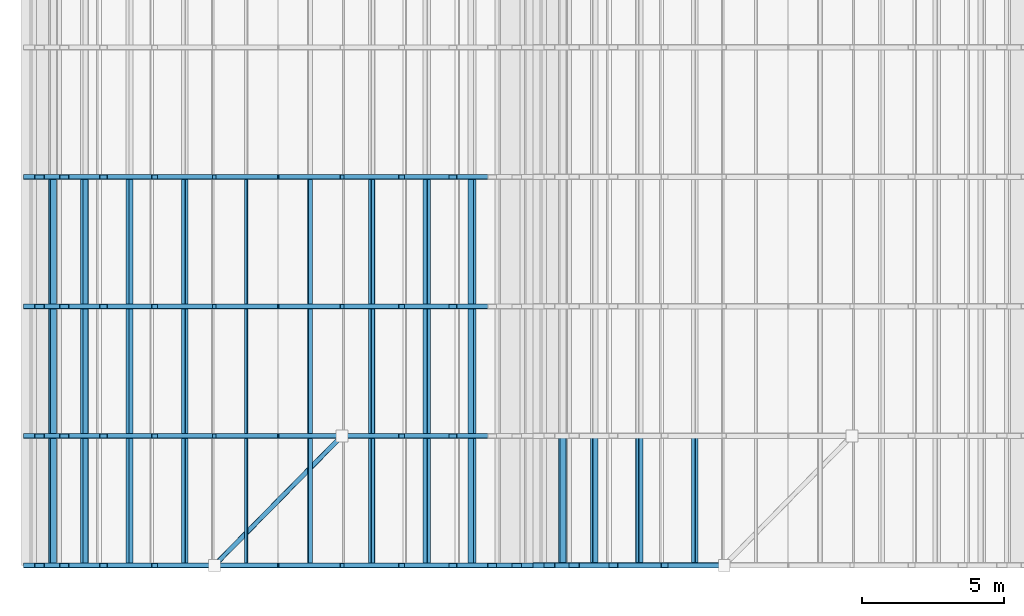
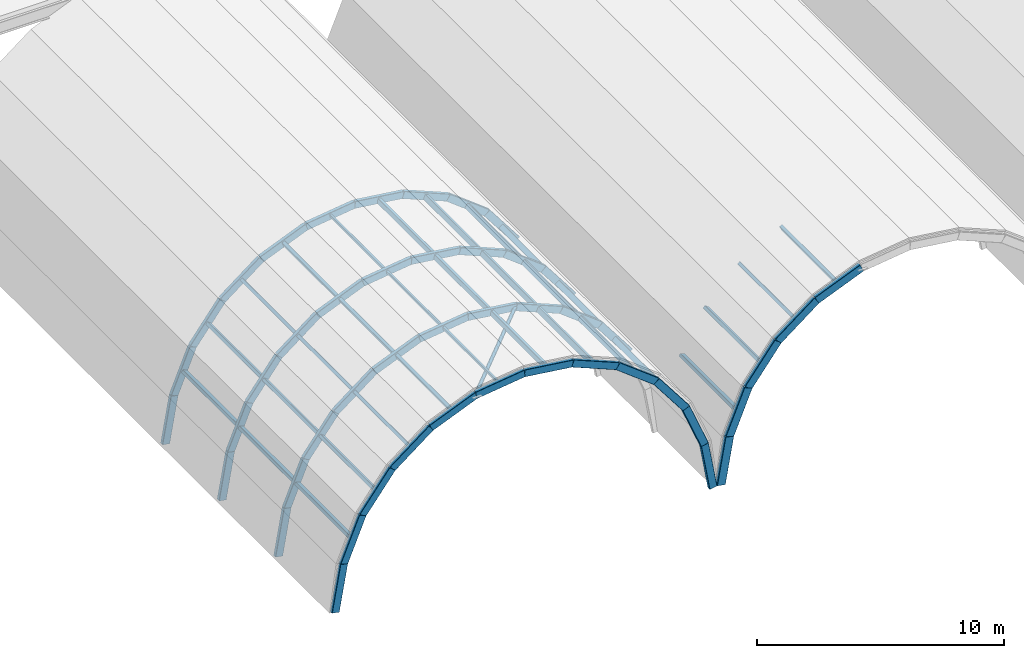
# One storey, part 1 of 25: 79 members.
"""IFC4 building model written with IfcOpenShell, lengths in metres."""

from ifc_helpers import new_model, si_unit, direction, frame, origin, origin_2d, place, context, subcontext, project, spatial, hollow_rectangle, hollow_circle, extrude, material, material_profile, profile_set, type_object, element, save


model = new_model("IFC4")

# Units and contexts
model_context = context("Model", 3, precision=1e-05, world=origin(), true_north=direction((0.0, 1.0)))
body_context = subcontext(model_context, "Body", "Model", "MODEL_VIEW")
ifc_project = project(units=[si_unit("LENGTHUNIT", "METRE"), si_unit("AREAUNIT", "SQUARE_METRE"), si_unit("VOLUMEUNIT", "CUBIC_METRE"), si_unit("PLANEANGLEUNIT", "RADIAN"), si_unit("MASSUNIT", "GRAM", prefix="KILO")], contexts=[model_context])

# Site, building, storey
site_placement = place(None, origin())
site = spatial("IfcSite", under=ifc_project, at=site_placement, CompositionType="ELEMENT")
building_placement = place(site_placement, origin())
building = spatial("IfcBuilding", under=site, at=building_placement, Name="Marnock Terrace Opera House", CompositionType="ELEMENT")
storey_placement = place(building_placement, frame((0.0, 0.0, 28.199951171875)))
storey = spatial("IfcBuildingStorey", under=building, at=storey_placement, Name="RF", CompositionType="ELEMENT", Elevation=28.199951171875)

# Members
ifc_material = material(Name="Cold-formed Steel Grade C350L0 (AS/NZS 1163)", Category="steel")
ifc_material_profile_1 = material_profile(ifc_material, hollow_circle(Radius=0.084228515625, WallThickness=0.007080078125, at=origin_2d()))
ifc_profile_set_1 = profile_set([ifc_material_profile_1], Name="Cold-formed Steel Grade C350L0 (AS/NZS 1163)")
member_type_1 = type_object("IfcMemberType", Name="MEM-BRACE-CHS2", PredefinedType="BRACE", material=ifc_profile_set_1)
member_1_placement = place(storey_placement, frame((61.748291015625, 8.0, -0.596435546875), z_axis=(0.701779574727, 0.712394152486, 0.0), x_axis=(-0.712394152486, 0.701779574727, 0.0)))
element("IfcMember", 1, at=member_1_placement, inside=storey, type_object=member_type_1, Name="Barrel vault 1 roof wind brace", PredefinedType="BRACE", context=body_context, shape_type="SweptSolid", body=[
    extrude(hollow_circle(Radius=0.084228515625, WallThickness=0.007080078125, at=origin_2d()), origin(), (0.0, 0.0, 1.0), 6.417236328125),
])
ifc_material_profile_2 = material_profile(ifc_material, hollow_rectangle(XDim=0.10009765625, YDim=0.14990234375, WallThickness=0.006103515625, InnerFilletRadius=0.006103515625, OuterFilletRadius=0.011962890625, at=origin_2d()))
ifc_profile_set_2 = profile_set([ifc_material_profile_2], Name="Cold-formed Steel Grade C350L0 (AS/NZS 1163)")
member_type_2 = type_object("IfcMemberType", Name="MEM-ROOF-GIRT", PredefinedType="PURLIN", material=ifc_profile_set_2)
member_2_placement = place(storey_placement, frame((62.8681640625, 8.0, -0.402099609375), z_axis=(0.0, 1.0, 0.0), x_axis=(-0.991444861374, 0.0, -0.13052619222)))
element("IfcMember", 2, at=member_2_placement, inside=storey, type_object=member_type_2, Name="Barrel vault 1 bay 1 longitudinal purlin", PredefinedType="PURLIN", context=body_context, shape_type="SweptSolid", body=[
    extrude(hollow_rectangle(XDim=0.10009765625, YDim=0.14990234375, WallThickness=0.006103515625, InnerFilletRadius=0.006103515625, OuterFilletRadius=0.011962890625, at=origin_2d()), origin(), (0.0, 0.0, 1.0), 4.571533203125),
])
member_3_placement = place(storey_placement, frame((62.8681640625, 12.571533203125, -0.402099609375), z_axis=(0.0, 1.0, 0.0), x_axis=(-0.991444861374, 0.0, -0.13052619222)))
element("IfcMember", 3, at=member_3_placement, inside=storey, type_object=member_type_2, Name="Barrel vault 1 bay 2 longitudinal purlin", PredefinedType="PURLIN", context=body_context, shape_type="SweptSolid", body=[
    extrude(hollow_rectangle(XDim=0.10009765625, YDim=0.14990234375, WallThickness=0.006103515625, InnerFilletRadius=0.006103515625, OuterFilletRadius=0.011962890625, at=origin_2d()), origin(), (0.0, 0.0, 1.0), 4.5712890625),
])
member_4_placement = place(storey_placement, frame((62.8681640625, 17.142822265625, -0.402099609375), z_axis=(0.0, 1.0, 0.0), x_axis=(-0.991444861374, 0.0, -0.13052619222)))
element("IfcMember", 4, at=member_4_placement, inside=storey, type_object=member_type_2, Name="Barrel vault 1 bay 3 longitudinal purlin", PredefinedType="PURLIN", context=body_context, shape_type="SweptSolid", body=[
    extrude(hollow_rectangle(XDim=0.10009765625, YDim=0.14990234375, WallThickness=0.006103515625, InnerFilletRadius=0.006103515625, OuterFilletRadius=0.011962890625, at=origin_2d()), origin(), (0.0, 0.0, 1.0), 4.571533203125),
])
ifc_material_profile_3 = material_profile(ifc_material, hollow_rectangle(XDim=0.199951171875, YDim=0.39990234375, WallThickness=0.012451171875, InnerFilletRadius=0.012451171875, OuterFilletRadius=0.02490234375, at=origin_2d()))
ifc_profile_set_3 = profile_set([ifc_material_profile_3], Name="Cold-formed Steel Grade C350L0 (AS/NZS 1163)")
member_type_3 = type_object("IfcMemberType", Name="MEM-VAULT-ARCH1", PredefinedType="CHORD", material=ifc_profile_set_3)
member_5_placement = place(storey_placement, frame((73.179931640625, 8.0, -9.0), z_axis=(0.173341635248, 0.0, 0.984861755522), x_axis=(0.0, 1.0, 0.0)))
element("IfcMember", 5, at=member_5_placement, inside=storey, type_object=member_type_3, Name="Barrel vault 2 station 1 arch chord 1", PredefinedType="CHORD", context=body_context, shape_type="SweptSolid", body=[
    extrude(hollow_rectangle(XDim=0.199951171875, YDim=0.39990234375, WallThickness=0.012451171875, InnerFilletRadius=0.012451171875, OuterFilletRadius=0.02490234375, at=origin_2d()), origin(), (0.0, 0.0, 1.0), 2.29150390625),
])
member_6_placement = place(storey_placement, frame((73.5771484375, 8.0, -6.7431640625), z_axis=(0.382642254796, 0.0, 0.923896587744), x_axis=(0.0, 1.0, 0.0)))
element("IfcMember", 6, at=member_6_placement, inside=storey, type_object=member_type_3, Name="Barrel vault 2 station 1 arch chord 2", PredefinedType="CHORD", context=body_context, shape_type="SweptSolid", body=[
    extrude(hollow_rectangle(XDim=0.199951171875, YDim=0.39990234375, WallThickness=0.012451171875, InnerFilletRadius=0.012451171875, OuterFilletRadius=0.02490234375, at=origin_2d()), origin(), (0.0, 0.0, 1.0), 2.276611328125),
])
for number, where, z_axis, x_axis, name in (
    (7, (74.4482421875, 8.0, -4.639892578125), (0.608766982702, 0.0, 0.793349078761), (0.0, 1.0, 0.0), "Barrel vault 2 station 1 arch chord 3"),
    (8, (75.833984375, 8.0, -2.833984375), (0.793349078761, 0.0, 0.608766982702), (0.0, 1.0, 0.0), "Barrel vault 2 station 1 arch chord 4"),
):
    element("IfcMember", number, at=place(storey_placement, frame(where, z_axis=z_axis, x_axis=x_axis)), inside=storey, type_object=member_type_3, Name=name, PredefinedType="CHORD", context=body_context, shape_type="SweptSolid", body=[
        extrude(hollow_rectangle(XDim=0.199951171875, YDim=0.39990234375, WallThickness=0.012451171875, InnerFilletRadius=0.012451171875, OuterFilletRadius=0.02490234375, at=origin_2d()), origin(), (0.0, 0.0, 1.0), 2.2763671875),
    ])
member_7_placement = place(storey_placement, frame((77.639892578125, 8.0, -1.4482421875), z_axis=(0.923896587744, 0.0, 0.382642254796), x_axis=(0.0, 1.0, 0.0)))
element("IfcMember", 9, at=member_7_placement, inside=storey, type_object=member_type_3, Name="Barrel vault 2 station 1 arch chord 5", PredefinedType="CHORD", context=body_context, shape_type="SweptSolid", body=[
    extrude(hollow_rectangle(XDim=0.199951171875, YDim=0.39990234375, WallThickness=0.012451171875, InnerFilletRadius=0.012451171875, OuterFilletRadius=0.02490234375, at=origin_2d()), origin(), (0.0, 0.0, 1.0), 2.276611328125),
])
ifc_material_profile_4 = material_profile(ifc_material, hollow_rectangle(XDim=0.175048828125, YDim=0.35009765625, WallThickness=0.010009765625, InnerFilletRadius=0.010009765625, OuterFilletRadius=0.02001953125, at=origin_2d()))
ifc_profile_set_4 = profile_set([ifc_material_profile_4], Name="Cold-formed Steel Grade C350L0 (AS/NZS 1163)")
member_type_4 = type_object("IfcMemberType", Name="MEM-VAULT-ARCH2", PredefinedType="CHORD", material=ifc_profile_set_4)
member_8_placement = place(storey_placement, frame((55.179931640625, 8.0, -9.0), z_axis=(0.173341635248, 0.0, 0.984861755522), x_axis=(0.0, 1.0, 0.0)))
element("IfcMember", 10, at=member_8_placement, inside=storey, type_object=member_type_4, Name="Barrel vault 1 station 1 arch chord 1", PredefinedType="CHORD", context=body_context, shape_type="SweptSolid", body=[
    extrude(hollow_rectangle(XDim=0.175048828125, YDim=0.35009765625, WallThickness=0.010009765625, InnerFilletRadius=0.010009765625, OuterFilletRadius=0.02001953125, at=origin_2d()), origin(), (0.0, 0.0, 1.0), 2.29150390625),
])
member_9_placement = place(storey_placement, frame((55.5771484375, 8.0, -6.7431640625), z_axis=(0.382642254796, 0.0, 0.923896587744), x_axis=(0.0, 1.0, 0.0)))
element("IfcMember", 11, at=member_9_placement, inside=storey, type_object=member_type_4, Name="Barrel vault 1 station 1 arch chord 2", PredefinedType="CHORD", context=body_context, shape_type="SweptSolid", body=[
    extrude(hollow_rectangle(XDim=0.175048828125, YDim=0.35009765625, WallThickness=0.010009765625, InnerFilletRadius=0.010009765625, OuterFilletRadius=0.02001953125, at=origin_2d()), origin(), (0.0, 0.0, 1.0), 2.276611328125),
])
for number, where, z_axis, x_axis, name in (
    (12, (56.4482421875, 8.0, -4.639892578125), (0.608766982702, 0.0, 0.793349078761), (0.0, 1.0, 0.0), "Barrel vault 1 station 1 arch chord 3"),
    (13, (57.833984375, 8.0, -2.833984375), (0.793349078761, 0.0, 0.608766982702), (0.0, 1.0, 0.0), "Barrel vault 1 station 1 arch chord 4"),
):
    element("IfcMember", number, at=place(storey_placement, frame(where, z_axis=z_axis, x_axis=x_axis)), inside=storey, type_object=member_type_4, Name=name, PredefinedType="CHORD", context=body_context, shape_type="SweptSolid", body=[
        extrude(hollow_rectangle(XDim=0.175048828125, YDim=0.35009765625, WallThickness=0.010009765625, InnerFilletRadius=0.010009765625, OuterFilletRadius=0.02001953125, at=origin_2d()), origin(), (0.0, 0.0, 1.0), 2.2763671875),
    ])
member_10_placement = place(storey_placement, frame((59.639892578125, 8.0, -1.4482421875), z_axis=(0.923896587744, 0.0, 0.382642254796), x_axis=(0.0, 1.0, 0.0)))
element("IfcMember", 14, at=member_10_placement, inside=storey, type_object=member_type_4, Name="Barrel vault 1 station 1 arch chord 5", PredefinedType="CHORD", context=body_context, shape_type="SweptSolid", body=[
    extrude(hollow_rectangle(XDim=0.175048828125, YDim=0.35009765625, WallThickness=0.010009765625, InnerFilletRadius=0.010009765625, OuterFilletRadius=0.02001953125, at=origin_2d()), origin(), (0.0, 0.0, 1.0), 2.276611328125),
])
for number, where, z_axis, x_axis, name in (
    (15, (61.7431640625, 8.0, -0.5771484375), (0.991444801521, 0.0, 0.130526646847), (0.0, 1.0, 0.0), "Barrel vault 1 station 1 arch chord 6"),
    (16, (64.0, 8.0, -0.280029296875), (0.991444801521, 0.0, -0.130526646847), (0.0, 1.0, 0.0), "Barrel vault 1 station 1 arch chord 7"),
):
    element("IfcMember", number, at=place(storey_placement, frame(where, z_axis=z_axis, x_axis=x_axis)), inside=storey, type_object=member_type_4, Name=name, PredefinedType="CHORD", context=body_context, shape_type="SweptSolid", body=[
        extrude(hollow_rectangle(XDim=0.175048828125, YDim=0.35009765625, WallThickness=0.010009765625, InnerFilletRadius=0.010009765625, OuterFilletRadius=0.02001953125, at=origin_2d()), origin(), (0.0, 0.0, 1.0), 2.2763671875),
    ])
member_11_placement = place(storey_placement, frame((66.2568359375, 8.0, -0.5771484375), z_axis=(0.923896587744, 0.0, -0.382642254796), x_axis=(0.0, 1.0, 0.0)))
element("IfcMember", 17, at=member_11_placement, inside=storey, type_object=member_type_4, Name="Barrel vault 1 station 1 arch chord 8", PredefinedType="CHORD", context=body_context, shape_type="SweptSolid", body=[
    extrude(hollow_rectangle(XDim=0.175048828125, YDim=0.35009765625, WallThickness=0.010009765625, InnerFilletRadius=0.010009765625, OuterFilletRadius=0.02001953125, at=origin_2d()), origin(), (0.0, 0.0, 1.0), 2.276611328125),
])
for number, where, z_axis, x_axis, name in (
    (18, (68.360107421875, 8.0, -1.4482421875), (0.793349078761, 0.0, -0.608766982702), (0.0, 1.0, 0.0), "Barrel vault 1 station 1 arch chord 9"),
    (19, (70.166015625, 8.0, -2.833984375), (0.608766982702, 0.0, -0.793349078761), (0.0, 1.0, 0.0), "Barrel vault 1 station 1 arch chord 10"),
):
    element("IfcMember", number, at=place(storey_placement, frame(where, z_axis=z_axis, x_axis=x_axis)), inside=storey, type_object=member_type_4, Name=name, PredefinedType="CHORD", context=body_context, shape_type="SweptSolid", body=[
        extrude(hollow_rectangle(XDim=0.175048828125, YDim=0.35009765625, WallThickness=0.010009765625, InnerFilletRadius=0.010009765625, OuterFilletRadius=0.02001953125, at=origin_2d()), origin(), (0.0, 0.0, 1.0), 2.2763671875),
    ])
member_12_placement = place(storey_placement, frame((71.5517578125, 8.0, -4.639892578125), z_axis=(0.382642254796, 0.0, -0.923896587744), x_axis=(0.0, 1.0, 0.0)))
element("IfcMember", 20, at=member_12_placement, inside=storey, type_object=member_type_4, Name="Barrel vault 1 station 1 arch chord 11", PredefinedType="CHORD", context=body_context, shape_type="SweptSolid", body=[
    extrude(hollow_rectangle(XDim=0.175048828125, YDim=0.35009765625, WallThickness=0.010009765625, InnerFilletRadius=0.010009765625, OuterFilletRadius=0.02001953125, at=origin_2d()), origin(), (0.0, 0.0, 1.0), 2.276611328125),
])
for number, where, z_axis, x_axis, name in (
    (21, (72.4228515625, 8.0, -6.7431640625), (0.173341635248, 0.0, -0.984861755522), (0.0, 1.0, 0.0), "Barrel vault 1 station 1 arch chord 12"),
    (22, (55.179931640625, 12.571533203125, -9.0), (0.173341635248, 0.0, 0.984861755522), (0.0, 1.0, 0.0), "Barrel vault 1 station 2 arch chord 1"),
):
    element("IfcMember", number, at=place(storey_placement, frame(where, z_axis=z_axis, x_axis=x_axis)), inside=storey, type_object=member_type_4, Name=name, PredefinedType="CHORD", context=body_context, shape_type="SweptSolid", body=[
        extrude(hollow_rectangle(XDim=0.175048828125, YDim=0.35009765625, WallThickness=0.010009765625, InnerFilletRadius=0.010009765625, OuterFilletRadius=0.02001953125, at=origin_2d()), origin(), (0.0, 0.0, 1.0), 2.29150390625),
    ])
member_13_placement = place(storey_placement, frame((55.5771484375, 12.571533203125, -6.7431640625), z_axis=(0.382642254796, 0.0, 0.923896587744), x_axis=(0.0, 1.0, 0.0)))
element("IfcMember", 23, at=member_13_placement, inside=storey, type_object=member_type_4, Name="Barrel vault 1 station 2 arch chord 2", PredefinedType="CHORD", context=body_context, shape_type="SweptSolid", body=[
    extrude(hollow_rectangle(XDim=0.175048828125, YDim=0.35009765625, WallThickness=0.010009765625, InnerFilletRadius=0.010009765625, OuterFilletRadius=0.02001953125, at=origin_2d()), origin(), (0.0, 0.0, 1.0), 2.276611328125),
])
for number, where, z_axis, x_axis, name in (
    (24, (56.4482421875, 12.571533203125, -4.639892578125), (0.608766982702, 0.0, 0.793349078761), (0.0, 1.0, 0.0), "Barrel vault 1 station 2 arch chord 3"),
    (25, (57.833984375, 12.571533203125, -2.833984375), (0.793349078761, 0.0, 0.608766982702), (0.0, 1.0, 0.0), "Barrel vault 1 station 2 arch chord 4"),
):
    element("IfcMember", number, at=place(storey_placement, frame(where, z_axis=z_axis, x_axis=x_axis)), inside=storey, type_object=member_type_4, Name=name, PredefinedType="CHORD", context=body_context, shape_type="SweptSolid", body=[
        extrude(hollow_rectangle(XDim=0.175048828125, YDim=0.35009765625, WallThickness=0.010009765625, InnerFilletRadius=0.010009765625, OuterFilletRadius=0.02001953125, at=origin_2d()), origin(), (0.0, 0.0, 1.0), 2.2763671875),
    ])
member_14_placement = place(storey_placement, frame((59.639892578125, 12.571533203125, -1.4482421875), z_axis=(0.923896587744, 0.0, 0.382642254796), x_axis=(0.0, 1.0, 0.0)))
element("IfcMember", 26, at=member_14_placement, inside=storey, type_object=member_type_4, Name="Barrel vault 1 station 2 arch chord 5", PredefinedType="CHORD", context=body_context, shape_type="SweptSolid", body=[
    extrude(hollow_rectangle(XDim=0.175048828125, YDim=0.35009765625, WallThickness=0.010009765625, InnerFilletRadius=0.010009765625, OuterFilletRadius=0.02001953125, at=origin_2d()), origin(), (0.0, 0.0, 1.0), 2.276611328125),
])
for number, where, z_axis, x_axis, name in (
    (27, (61.7431640625, 12.571533203125, -0.5771484375), (0.991444801521, 0.0, 0.130526646847), (0.0, 1.0, 0.0), "Barrel vault 1 station 2 arch chord 6"),
    (28, (64.0, 12.571533203125, -0.280029296875), (0.991444801521, 0.0, -0.130526646847), (0.0, 1.0, 0.0), "Barrel vault 1 station 2 arch chord 7"),
):
    element("IfcMember", number, at=place(storey_placement, frame(where, z_axis=z_axis, x_axis=x_axis)), inside=storey, type_object=member_type_4, Name=name, PredefinedType="CHORD", context=body_context, shape_type="SweptSolid", body=[
        extrude(hollow_rectangle(XDim=0.175048828125, YDim=0.35009765625, WallThickness=0.010009765625, InnerFilletRadius=0.010009765625, OuterFilletRadius=0.02001953125, at=origin_2d()), origin(), (0.0, 0.0, 1.0), 2.2763671875),
    ])
member_15_placement = place(storey_placement, frame((66.2568359375, 12.571533203125, -0.5771484375), z_axis=(0.923896587744, 0.0, -0.382642254796), x_axis=(0.0, 1.0, 0.0)))
element("IfcMember", 29, at=member_15_placement, inside=storey, type_object=member_type_4, Name="Barrel vault 1 station 2 arch chord 8", PredefinedType="CHORD", context=body_context, shape_type="SweptSolid", body=[
    extrude(hollow_rectangle(XDim=0.175048828125, YDim=0.35009765625, WallThickness=0.010009765625, InnerFilletRadius=0.010009765625, OuterFilletRadius=0.02001953125, at=origin_2d()), origin(), (0.0, 0.0, 1.0), 2.276611328125),
])
for number, where, z_axis, x_axis, name in (
    (30, (68.360107421875, 12.571533203125, -1.4482421875), (0.793349078761, 0.0, -0.608766982702), (0.0, 1.0, 0.0), "Barrel vault 1 station 2 arch chord 9"),
    (31, (70.166015625, 12.571533203125, -2.833984375), (0.608766982702, 0.0, -0.793349078761), (0.0, 1.0, 0.0), "Barrel vault 1 station 2 arch chord 10"),
):
    element("IfcMember", number, at=place(storey_placement, frame(where, z_axis=z_axis, x_axis=x_axis)), inside=storey, type_object=member_type_4, Name=name, PredefinedType="CHORD", context=body_context, shape_type="SweptSolid", body=[
        extrude(hollow_rectangle(XDim=0.175048828125, YDim=0.35009765625, WallThickness=0.010009765625, InnerFilletRadius=0.010009765625, OuterFilletRadius=0.02001953125, at=origin_2d()), origin(), (0.0, 0.0, 1.0), 2.2763671875),
    ])
member_16_placement = place(storey_placement, frame((55.179931640625, 17.142822265625, -9.0), z_axis=(0.173341635248, 0.0, 0.984861755522), x_axis=(0.0, 1.0, 0.0)))
element("IfcMember", 32, at=member_16_placement, inside=storey, type_object=member_type_4, Name="Barrel vault 1 station 3 arch chord 1", PredefinedType="CHORD", context=body_context, shape_type="SweptSolid", body=[
    extrude(hollow_rectangle(XDim=0.175048828125, YDim=0.35009765625, WallThickness=0.010009765625, InnerFilletRadius=0.010009765625, OuterFilletRadius=0.02001953125, at=origin_2d()), origin(), (0.0, 0.0, 1.0), 2.29150390625),
])
member_17_placement = place(storey_placement, frame((55.5771484375, 17.142822265625, -6.7431640625), z_axis=(0.382642254796, 0.0, 0.923896587744), x_axis=(0.0, 1.0, 0.0)))
element("IfcMember", 33, at=member_17_placement, inside=storey, type_object=member_type_4, Name="Barrel vault 1 station 3 arch chord 2", PredefinedType="CHORD", context=body_context, shape_type="SweptSolid", body=[
    extrude(hollow_rectangle(XDim=0.175048828125, YDim=0.35009765625, WallThickness=0.010009765625, InnerFilletRadius=0.010009765625, OuterFilletRadius=0.02001953125, at=origin_2d()), origin(), (0.0, 0.0, 1.0), 2.276611328125),
])
for number, where, z_axis, x_axis, name in (
    (34, (56.4482421875, 17.142822265625, -4.639892578125), (0.608766982702, 0.0, 0.793349078761), (0.0, 1.0, 0.0), "Barrel vault 1 station 3 arch chord 3"),
    (35, (57.833984375, 17.142822265625, -2.833984375), (0.793349078761, 0.0, 0.608766982702), (0.0, 1.0, 0.0), "Barrel vault 1 station 3 arch chord 4"),
):
    element("IfcMember", number, at=place(storey_placement, frame(where, z_axis=z_axis, x_axis=x_axis)), inside=storey, type_object=member_type_4, Name=name, PredefinedType="CHORD", context=body_context, shape_type="SweptSolid", body=[
        extrude(hollow_rectangle(XDim=0.175048828125, YDim=0.35009765625, WallThickness=0.010009765625, InnerFilletRadius=0.010009765625, OuterFilletRadius=0.02001953125, at=origin_2d()), origin(), (0.0, 0.0, 1.0), 2.2763671875),
    ])
member_18_placement = place(storey_placement, frame((59.639892578125, 17.142822265625, -1.4482421875), z_axis=(0.923896587744, 0.0, 0.382642254796), x_axis=(0.0, 1.0, 0.0)))
element("IfcMember", 36, at=member_18_placement, inside=storey, type_object=member_type_4, Name="Barrel vault 1 station 3 arch chord 5", PredefinedType="CHORD", context=body_context, shape_type="SweptSolid", body=[
    extrude(hollow_rectangle(XDim=0.175048828125, YDim=0.35009765625, WallThickness=0.010009765625, InnerFilletRadius=0.010009765625, OuterFilletRadius=0.02001953125, at=origin_2d()), origin(), (0.0, 0.0, 1.0), 2.276611328125),
])
for number, where, z_axis, x_axis, name in (
    (37, (61.7431640625, 17.142822265625, -0.5771484375), (0.991444801521, 0.0, 0.130526646847), (0.0, 1.0, 0.0), "Barrel vault 1 station 3 arch chord 6"),
    (38, (64.0, 17.142822265625, -0.280029296875), (0.991444801521, 0.0, -0.130526646847), (0.0, 1.0, 0.0), "Barrel vault 1 station 3 arch chord 7"),
):
    element("IfcMember", number, at=place(storey_placement, frame(where, z_axis=z_axis, x_axis=x_axis)), inside=storey, type_object=member_type_4, Name=name, PredefinedType="CHORD", context=body_context, shape_type="SweptSolid", body=[
        extrude(hollow_rectangle(XDim=0.175048828125, YDim=0.35009765625, WallThickness=0.010009765625, InnerFilletRadius=0.010009765625, OuterFilletRadius=0.02001953125, at=origin_2d()), origin(), (0.0, 0.0, 1.0), 2.2763671875),
    ])
member_19_placement = place(storey_placement, frame((66.2568359375, 17.142822265625, -0.5771484375), z_axis=(0.923896587744, 0.0, -0.382642254796), x_axis=(0.0, 1.0, 0.0)))
element("IfcMember", 39, at=member_19_placement, inside=storey, type_object=member_type_4, Name="Barrel vault 1 station 3 arch chord 8", PredefinedType="CHORD", context=body_context, shape_type="SweptSolid", body=[
    extrude(hollow_rectangle(XDim=0.175048828125, YDim=0.35009765625, WallThickness=0.010009765625, InnerFilletRadius=0.010009765625, OuterFilletRadius=0.02001953125, at=origin_2d()), origin(), (0.0, 0.0, 1.0), 2.276611328125),
])
for number, where, z_axis, x_axis, name in (
    (40, (68.360107421875, 17.142822265625, -1.4482421875), (0.793349078761, 0.0, -0.608766982702), (0.0, 1.0, 0.0), "Barrel vault 1 station 3 arch chord 9"),
    (41, (70.166015625, 17.142822265625, -2.833984375), (0.608766982702, 0.0, -0.793349078761), (0.0, 1.0, 0.0), "Barrel vault 1 station 3 arch chord 10"),
):
    element("IfcMember", number, at=place(storey_placement, frame(where, z_axis=z_axis, x_axis=x_axis)), inside=storey, type_object=member_type_4, Name=name, PredefinedType="CHORD", context=body_context, shape_type="SweptSolid", body=[
        extrude(hollow_rectangle(XDim=0.175048828125, YDim=0.35009765625, WallThickness=0.010009765625, InnerFilletRadius=0.010009765625, OuterFilletRadius=0.02001953125, at=origin_2d()), origin(), (0.0, 0.0, 1.0), 2.2763671875),
    ])
member_20_placement = place(storey_placement, frame((55.179931640625, 21.71435546875, -9.0), z_axis=(0.173341635248, 0.0, 0.984861755522), x_axis=(0.0, 1.0, 0.0)))
element("IfcMember", 42, at=member_20_placement, inside=storey, type_object=member_type_4, Name="Barrel vault 1 station 4 arch chord 1", PredefinedType="CHORD", context=body_context, shape_type="SweptSolid", body=[
    extrude(hollow_rectangle(XDim=0.175048828125, YDim=0.35009765625, WallThickness=0.010009765625, InnerFilletRadius=0.010009765625, OuterFilletRadius=0.02001953125, at=origin_2d()), origin(), (0.0, 0.0, 1.0), 2.29150390625),
])
member_21_placement = place(storey_placement, frame((55.5771484375, 21.71435546875, -6.7431640625), z_axis=(0.382642254796, 0.0, 0.923896587744), x_axis=(0.0, 1.0, 0.0)))
element("IfcMember", 43, at=member_21_placement, inside=storey, type_object=member_type_4, Name="Barrel vault 1 station 4 arch chord 2", PredefinedType="CHORD", context=body_context, shape_type="SweptSolid", body=[
    extrude(hollow_rectangle(XDim=0.175048828125, YDim=0.35009765625, WallThickness=0.010009765625, InnerFilletRadius=0.010009765625, OuterFilletRadius=0.02001953125, at=origin_2d()), origin(), (0.0, 0.0, 1.0), 2.276611328125),
])
for number, where, z_axis, x_axis, name in (
    (44, (56.4482421875, 21.71435546875, -4.639892578125), (0.608766982702, 0.0, 0.793349078761), (0.0, 1.0, 0.0), "Barrel vault 1 station 4 arch chord 3"),
    (45, (57.833984375, 21.71435546875, -2.833984375), (0.793349078761, 0.0, 0.608766982702), (0.0, 1.0, 0.0), "Barrel vault 1 station 4 arch chord 4"),
):
    element("IfcMember", number, at=place(storey_placement, frame(where, z_axis=z_axis, x_axis=x_axis)), inside=storey, type_object=member_type_4, Name=name, PredefinedType="CHORD", context=body_context, shape_type="SweptSolid", body=[
        extrude(hollow_rectangle(XDim=0.175048828125, YDim=0.35009765625, WallThickness=0.010009765625, InnerFilletRadius=0.010009765625, OuterFilletRadius=0.02001953125, at=origin_2d()), origin(), (0.0, 0.0, 1.0), 2.2763671875),
    ])
member_22_placement = place(storey_placement, frame((59.639892578125, 21.71435546875, -1.4482421875), z_axis=(0.923896587744, 0.0, 0.382642254796), x_axis=(0.0, 1.0, 0.0)))
element("IfcMember", 46, at=member_22_placement, inside=storey, type_object=member_type_4, Name="Barrel vault 1 station 4 arch chord 5", PredefinedType="CHORD", context=body_context, shape_type="SweptSolid", body=[
    extrude(hollow_rectangle(XDim=0.175048828125, YDim=0.35009765625, WallThickness=0.010009765625, InnerFilletRadius=0.010009765625, OuterFilletRadius=0.02001953125, at=origin_2d()), origin(), (0.0, 0.0, 1.0), 2.276611328125),
])
for number, where, z_axis, x_axis, name in (
    (47, (61.7431640625, 21.71435546875, -0.5771484375), (0.991444801521, 0.0, 0.130526646847), (0.0, 1.0, 0.0), "Barrel vault 1 station 4 arch chord 6"),
    (48, (64.0, 21.71435546875, -0.280029296875), (0.991444801521, 0.0, -0.130526646847), (0.0, 1.0, 0.0), "Barrel vault 1 station 4 arch chord 7"),
):
    element("IfcMember", number, at=place(storey_placement, frame(where, z_axis=z_axis, x_axis=x_axis)), inside=storey, type_object=member_type_4, Name=name, PredefinedType="CHORD", context=body_context, shape_type="SweptSolid", body=[
        extrude(hollow_rectangle(XDim=0.175048828125, YDim=0.35009765625, WallThickness=0.010009765625, InnerFilletRadius=0.010009765625, OuterFilletRadius=0.02001953125, at=origin_2d()), origin(), (0.0, 0.0, 1.0), 2.2763671875),
    ])
member_23_placement = place(storey_placement, frame((66.2568359375, 21.71435546875, -0.5771484375), z_axis=(0.923896587744, 0.0, -0.382642254796), x_axis=(0.0, 1.0, 0.0)))
element("IfcMember", 49, at=member_23_placement, inside=storey, type_object=member_type_4, Name="Barrel vault 1 station 4 arch chord 8", PredefinedType="CHORD", context=body_context, shape_type="SweptSolid", body=[
    extrude(hollow_rectangle(XDim=0.175048828125, YDim=0.35009765625, WallThickness=0.010009765625, InnerFilletRadius=0.010009765625, OuterFilletRadius=0.02001953125, at=origin_2d()), origin(), (0.0, 0.0, 1.0), 2.276611328125),
])
for number, where, z_axis, x_axis, name in (
    (50, (68.360107421875, 21.71435546875, -1.4482421875), (0.793349078761, 0.0, -0.608766982702), (0.0, 1.0, 0.0), "Barrel vault 1 station 4 arch chord 9"),
    (51, (70.166015625, 21.71435546875, -2.833984375), (0.608766982702, 0.0, -0.793349078761), (0.0, 1.0, 0.0), "Barrel vault 1 station 4 arch chord 10"),
):
    element("IfcMember", number, at=place(storey_placement, frame(where, z_axis=z_axis, x_axis=x_axis)), inside=storey, type_object=member_type_4, Name=name, PredefinedType="CHORD", context=body_context, shape_type="SweptSolid", body=[
        extrude(hollow_rectangle(XDim=0.175048828125, YDim=0.35009765625, WallThickness=0.010009765625, InnerFilletRadius=0.010009765625, OuterFilletRadius=0.02001953125, at=origin_2d()), origin(), (0.0, 0.0, 1.0), 2.2763671875),
    ])
ifc_material_profile_5 = material_profile(ifc_material, hollow_rectangle(XDim=0.14990234375, YDim=0.25, WallThickness=0.009033203125, InnerFilletRadius=0.009033203125, OuterFilletRadius=0.01806640625, at=origin_2d()))
ifc_profile_set_5 = profile_set([ifc_material_profile_5], Name="Cold-formed Steel Grade C350L0 (AS/NZS 1163)")
member_type_5 = type_object("IfcMemberType", Name="MEM-VAULT-PURL", PredefinedType="PURLIN", material=ifc_profile_set_5)
for number, where, z_axis, x_axis, name in (
    (52, (56.034423828125, 8.0, -5.700439453125), (0.0, 1.0, 0.0), (-0.382683432365, 0.0, -0.923879532511), "Barrel vault 1 bay 1 longitudinal purlin"),
    (53, (57.15966796875, 8.0, -3.751220703125), (0.0, 1.0, 0.0), (-0.608761429009, 0.0, -0.793353340291), "Barrel vault 1 bay 1 longitudinal purlin"),
    (54, (58.751220703125, 8.0, -2.15966796875), (0.0, 1.0, 0.0), (-0.793353340291, 0.0, -0.608761429009), "Barrel vault 1 bay 1 longitudinal purlin"),
    (55, (60.700439453125, 8.0, -1.0341796875), (0.0, 1.0, 0.0), (-0.923879532511, 0.0, -0.382683432365), "Barrel vault 1 bay 1 longitudinal purlin"),
    (56, (65.12548828125, 8.0, -0.45166015625), (0.0, 1.0, 0.0), (-0.991444861374, 0.0, 0.13052619222), "Barrel vault 1 bay 1 longitudinal purlin"),
    (57, (67.299560546875, 8.0, -1.0341796875), (0.0, 1.0, 0.0), (-0.923879532511, 0.0, 0.382683432365), "Barrel vault 1 bay 1 longitudinal purlin"),
    (58, (69.248779296875, 8.0, -2.15966796875), (0.0, 1.0, 0.0), (-0.793353340291, 0.0, 0.608761429009), "Barrel vault 1 bay 1 longitudinal purlin"),
    (59, (70.84033203125, 8.0, -3.751220703125), (0.0, 1.0, 0.0), (-0.608761429009, 0.0, 0.793353340291), "Barrel vault 1 bay 1 longitudinal purlin"),
):
    element("IfcMember", number, at=place(storey_placement, frame(where, z_axis=z_axis, x_axis=x_axis)), inside=storey, type_object=member_type_5, Name=name, PredefinedType="PURLIN", context=body_context, shape_type="SweptSolid", body=[
        extrude(hollow_rectangle(XDim=0.14990234375, YDim=0.25, WallThickness=0.009033203125, InnerFilletRadius=0.009033203125, OuterFilletRadius=0.01806640625, at=origin_2d()), origin(), (0.0, 0.0, 1.0), 4.571533203125),
    ])
for number, where, z_axis, x_axis, name in (
    (60, (56.034423828125, 12.571533203125, -5.700439453125), (0.0, 1.0, 0.0), (-0.382683432365, 0.0, -0.923879532511), "Barrel vault 1 bay 2 longitudinal purlin"),
    (61, (57.15966796875, 12.571533203125, -3.751220703125), (0.0, 1.0, 0.0), (-0.608761429009, 0.0, -0.793353340291), "Barrel vault 1 bay 2 longitudinal purlin"),
    (62, (58.751220703125, 12.571533203125, -2.15966796875), (0.0, 1.0, 0.0), (-0.793353340291, 0.0, -0.608761429009), "Barrel vault 1 bay 2 longitudinal purlin"),
    (63, (60.700439453125, 12.571533203125, -1.0341796875), (0.0, 1.0, 0.0), (-0.923879532511, 0.0, -0.382683432365), "Barrel vault 1 bay 2 longitudinal purlin"),
    (64, (65.12548828125, 12.571533203125, -0.45166015625), (0.0, 1.0, 0.0), (-0.991444861374, 0.0, 0.13052619222), "Barrel vault 1 bay 2 longitudinal purlin"),
    (65, (67.299560546875, 12.571533203125, -1.0341796875), (0.0, 1.0, 0.0), (-0.923879532511, 0.0, 0.382683432365), "Barrel vault 1 bay 2 longitudinal purlin"),
    (66, (69.248779296875, 12.571533203125, -2.15966796875), (0.0, 1.0, 0.0), (-0.793353340291, 0.0, 0.608761429009), "Barrel vault 1 bay 2 longitudinal purlin"),
    (67, (70.84033203125, 12.571533203125, -3.751220703125), (0.0, 1.0, 0.0), (-0.608761429009, 0.0, 0.793353340291), "Barrel vault 1 bay 2 longitudinal purlin"),
):
    element("IfcMember", number, at=place(storey_placement, frame(where, z_axis=z_axis, x_axis=x_axis)), inside=storey, type_object=member_type_5, Name=name, PredefinedType="PURLIN", context=body_context, shape_type="SweptSolid", body=[
        extrude(hollow_rectangle(XDim=0.14990234375, YDim=0.25, WallThickness=0.009033203125, InnerFilletRadius=0.009033203125, OuterFilletRadius=0.01806640625, at=origin_2d()), origin(), (0.0, 0.0, 1.0), 4.5712890625),
    ])
for number, where, z_axis, x_axis, name in (
    (68, (56.034423828125, 17.142822265625, -5.700439453125), (0.0, 1.0, 0.0), (-0.382683432365, 0.0, -0.923879532511), "Barrel vault 1 bay 3 longitudinal purlin"),
    (69, (57.15966796875, 17.142822265625, -3.751220703125), (0.0, 1.0, 0.0), (-0.608761429009, 0.0, -0.793353340291), "Barrel vault 1 bay 3 longitudinal purlin"),
    (70, (58.751220703125, 17.142822265625, -2.15966796875), (0.0, 1.0, 0.0), (-0.793353340291, 0.0, -0.608761429009), "Barrel vault 1 bay 3 longitudinal purlin"),
    (71, (60.700439453125, 17.142822265625, -1.0341796875), (0.0, 1.0, 0.0), (-0.923879532511, 0.0, -0.382683432365), "Barrel vault 1 bay 3 longitudinal purlin"),
    (72, (65.12548828125, 17.142822265625, -0.45166015625), (0.0, 1.0, 0.0), (-0.991444861374, 0.0, 0.13052619222), "Barrel vault 1 bay 3 longitudinal purlin"),
    (73, (67.299560546875, 17.142822265625, -1.0341796875), (0.0, 1.0, 0.0), (-0.923879532511, 0.0, 0.382683432365), "Barrel vault 1 bay 3 longitudinal purlin"),
    (74, (69.248779296875, 17.142822265625, -2.15966796875), (0.0, 1.0, 0.0), (-0.793353340291, 0.0, 0.608761429009), "Barrel vault 1 bay 3 longitudinal purlin"),
    (75, (70.84033203125, 17.142822265625, -3.751220703125), (0.0, 1.0, 0.0), (-0.608761429009, 0.0, 0.793353340291), "Barrel vault 1 bay 3 longitudinal purlin"),
    (76, (74.034423828125, 8.0, -5.700439453125), (0.0, 1.0, 0.0), (-0.382683432365, 0.0, -0.923879532511), "Barrel vault 2 bay 1 longitudinal purlin"),
    (77, (75.15966796875, 8.0, -3.751220703125), (0.0, 1.0, 0.0), (-0.608761429009, 0.0, -0.793353340291), "Barrel vault 2 bay 1 longitudinal purlin"),
    (78, (76.751220703125, 8.0, -2.15966796875), (0.0, 1.0, 0.0), (-0.793353340291, 0.0, -0.608761429009), "Barrel vault 2 bay 1 longitudinal purlin"),
    (79, (78.700439453125, 8.0, -1.0341796875), (0.0, 1.0, 0.0), (-0.923879532511, 0.0, -0.382683432365), "Barrel vault 2 bay 1 longitudinal purlin"),
):
    element("IfcMember", number, at=place(storey_placement, frame(where, z_axis=z_axis, x_axis=x_axis)), inside=storey, type_object=member_type_5, Name=name, PredefinedType="PURLIN", context=body_context, shape_type="SweptSolid", body=[
        extrude(hollow_rectangle(XDim=0.14990234375, YDim=0.25, WallThickness=0.009033203125, InnerFilletRadius=0.009033203125, OuterFilletRadius=0.01806640625, at=origin_2d()), origin(), (0.0, 0.0, 1.0), 4.571533203125),
    ])

save(model, "model.ifc")
